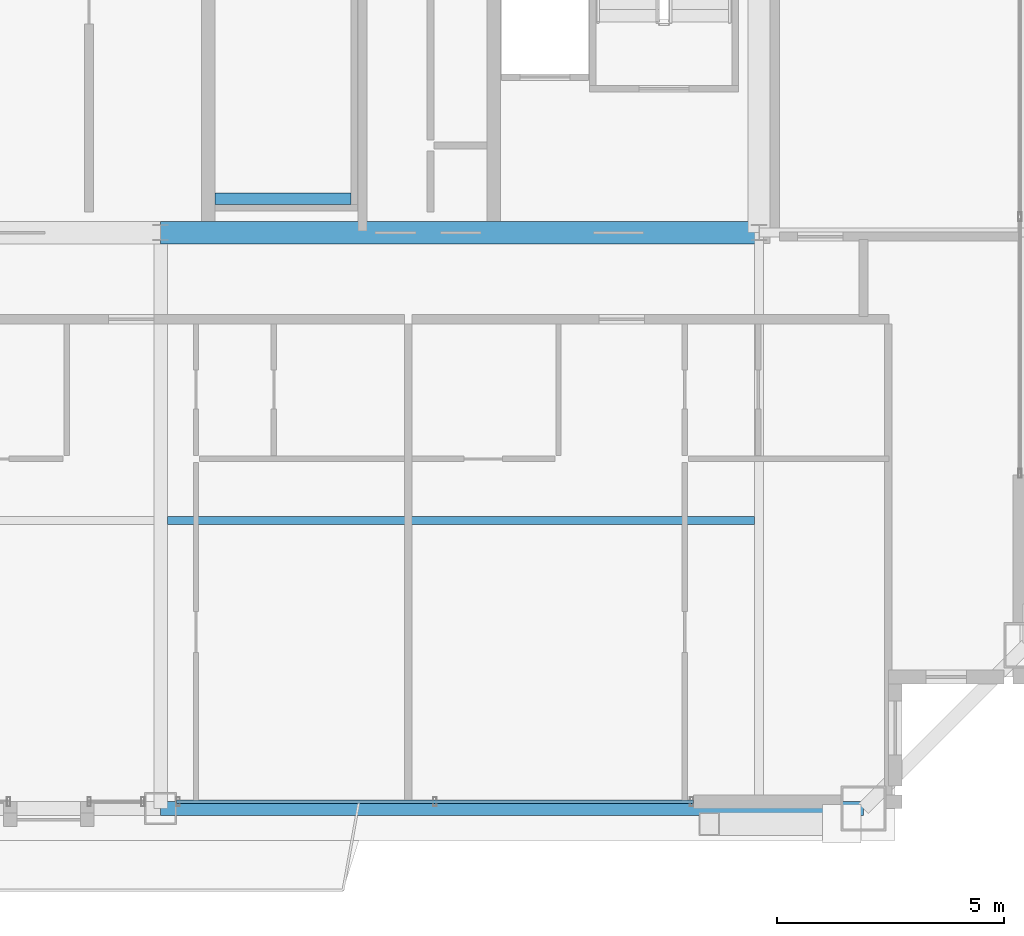
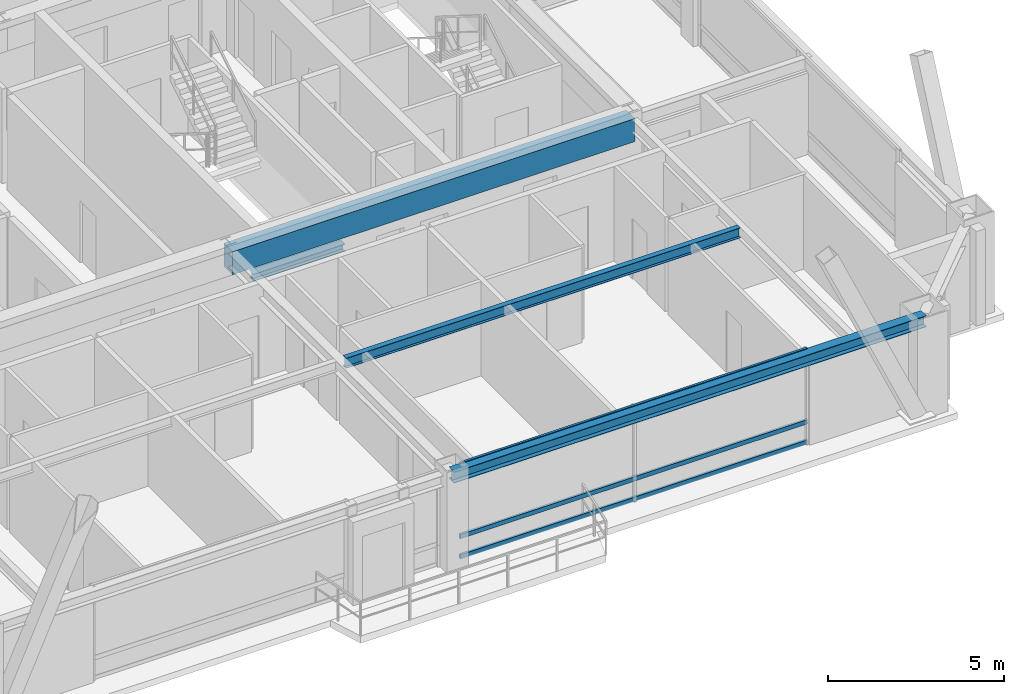
# One storey, part 8 of 33: 4 beams, 3 members, 1 element without a shape of its own.
"""IFC4 building model written with IfcOpenShell, lengths in metres."""

from ifc_helpers import new_model, si_unit, direction, frame, origin, origin_2d, place, context, subcontext, project, spatial, rectangle, hollow_rectangle, i_section, extrude, source, transform, mapped, material, layer, layer_set, material_profile, profile_set, type_object, element, aggregate, save


model = new_model("IFC4")

# Units and contexts
model_context = context("Model", 3, precision=1e-05, world=origin(), true_north=direction((0.0, 1.0)))
body_context = subcontext(model_context, "Body", "Model", "MODEL_VIEW")
ifc_project = project(units=[si_unit("LENGTHUNIT", "METRE"), si_unit("AREAUNIT", "SQUARE_METRE"), si_unit("VOLUMEUNIT", "CUBIC_METRE"), si_unit("PLANEANGLEUNIT", "RADIAN"), si_unit("MASSUNIT", "GRAM", prefix="KILO"), si_unit("THERMODYNAMICTEMPERATUREUNIT", "KELVIN"), si_unit("POWERUNIT", "WATT")], contexts=[model_context])

# Site, building, storey
site_placement = place(None, origin())
site = spatial("IfcSite", under=ifc_project, at=site_placement, CompositionType="ELEMENT")
building_placement = place(site_placement, origin())
building = spatial("IfcBuilding", under=site, at=building_placement, Name="Yuzanri Waterfront Tower", CompositionType="ELEMENT")
storey_placement = place(building_placement, frame((0.0, 0.0, 292.60009765625)))
storey = spatial("IfcBuildingStorey", under=building, at=storey_placement, Name="L78", CompositionType="ELEMENT", Elevation=292.60009765625)

# Beams
ifc_material_1 = material(Name="Concrete C50", Category="concrete")
ifc_material_profile_1 = material_profile(ifc_material_1, rectangle(XDim=0.5, YDim=0.800048828125, at=origin_2d()), Name="RC 500x800")
ifc_profile_set_1 = profile_set([ifc_material_profile_1], Name="Concrete C50")
beam_type_1 = type_object("IfcBeamType", Name="Core Coupling Lintel Concrete C50 500x800", PredefinedType="LINTEL", material=ifc_profile_set_1)
shared_shape_1 = source(origin(), body_context, "Body", "SweptSolid", [
    extrude(rectangle(XDim=0.5, YDim=0.800048828125, at=origin_2d()), origin(), (0.0, 0.0, 1.0), 13.199951171875),
])
beam_1_placement = place(storey_placement, frame((37.0, 19.39990234375, 2.8798828125), z_axis=(1.0, 0.0, 0.0), x_axis=(0.0, 1.0, 0.0)))
element("IfcBeam", 1, at=beam_1_placement, inside=storey, type_object=beam_type_1, Name="L78 Core Tie Beam CS2", PredefinedType="LINTEL", context=body_context, shape_type="MappedRepresentation", body=[
    mapped(shared_shape_1, transform((0.0, 0.0, 0.0), scale=1.0)),
])
ifc_material_2 = material(Name="Steel Q355B", Category="steel")
ifc_material_profile_2 = material_profile(ifc_material_2, i_section(OverallWidth=0.175048828125, OverallDepth=0.35009765625, WebThickness=0.007080078125, FlangeThickness=0.010986328125, at=origin_2d()), Name="HN 350x175x7x11")
ifc_profile_set_2 = profile_set([ifc_material_profile_2], Name="Steel Q355B")
beam_type_2 = type_object("IfcBeamType", Name="Floor Joist Q355B HN 350x175", PredefinedType="JOIST", material=ifc_profile_set_2)
shared_shape_2 = source(origin(), body_context, "Body", "SweptSolid", [
    extrude(i_section(OverallWidth=0.175048828125, OverallDepth=0.35009765625, WebThickness=0.007080078125, FlangeThickness=0.010986328125, at=origin_2d()), origin(), (0.0, 0.0, 1.0), 12.9501953125),
])
beam_2_placement = place(storey_placement, frame((37.14990234375, 13.050048828125, 3.10498046875), z_axis=(1.0, 0.0, 0.0), x_axis=(0.0, 1.0, 0.0)))
element("IfcBeam", 2, at=beam_2_placement, inside=storey, type_object=beam_type_2, Name="L78 South Bay Joist E", PredefinedType="JOIST", context=body_context, shape_type="MappedRepresentation", body=[
    mapped(shared_shape_2, transform((0.0, 0.0, 0.0), scale=1.0)),
])
ifc_material_3 = material(Name="Steel Q355B", Category="steel")
ifc_material_profile_3 = material_profile(ifc_material_3, i_section(OverallWidth=0.300048828125, OverallDepth=0.389892578125, WebThickness=0.010009765625, FlangeThickness=0.01611328125, at=origin_2d()), Name="HM 390x300x10x16")
ifc_profile_set_3 = profile_set([ifc_material_profile_3], Name="Steel Q355B")
beam_type_3 = type_object("IfcBeamType", Name="Perimeter Spandrel Q355B HM 390x300", PredefinedType="SPANDREL", material=ifc_profile_set_3)
shared_shape_3 = source(origin(), body_context, "Body", "SweptSolid", [
    extrude(i_section(OverallWidth=0.300048828125, OverallDepth=0.389892578125, WebThickness=0.010009765625, FlangeThickness=0.01611328125, at=origin_2d()), origin(), (0.0, 0.0, 1.0), 15.5),
])
beam_3_placement = place(storey_placement, frame((37.0, 6.699951171875, 3.0849609375), z_axis=(1.0, 0.0, 0.0), x_axis=(0.0, 1.0, 0.0)))
element("IfcBeam", 3, at=beam_3_placement, inside=storey, type_object=beam_type_3, Name="L78 Perimeter Spandrel S2-S3", PredefinedType="SPANDREL", context=body_context, shape_type="MappedRepresentation", body=[
    mapped(shared_shape_3, transform((0.0, 0.0, 0.0), scale=1.0)),
])

# Curtain wall, members
ifc_material_4 = material(Name="Anodized Architectural Bronze", Category="metal")
ifc_layer = layer(ifc_material_4, 0.159912109375)
ifc_layer_set = layer_set([ifc_layer], Name="Anodized Architectural Bronze")
curtain_wall_type = type_object("IfcCurtainWallType", Name="Anodized Bronze High-Rise Penthouse High-Wind Unitized Curtain Wall 6900", PredefinedType="NOTDEFINED", material=ifc_layer_set)
curtain_wall_placement = place(storey_placement, origin())
curtain_wall = element("IfcCurtainWall", 4, at=curtain_wall_placement, inside=storey, type_object=curtain_wall_type, Name="L78 Curtain Wall CW-L78-SR", PredefinedType="NOTDEFINED")
ifc_material_5 = material(Name="Anodized Architectural Bronze", Category="metal")
ifc_material_profile_4 = material_profile(ifc_material_5, hollow_rectangle(XDim=0.074951171875, YDim=0.14990234375, WallThickness=0.00390625, at=origin_2d()), Name="CWT 75x150")
ifc_profile_set_4 = profile_set([ifc_material_profile_4], Name="Anodized Architectural Bronze")
member_type = type_object("IfcMemberType", Name="Anodized Bronze Primary Curtain-Wall Transom 75x150", PredefinedType="USERDEFINED", material=ifc_profile_set_4)
shared_shape_4 = source(origin(), body_context, "Body", "SweptSolid", [
    extrude(hollow_rectangle(XDim=0.074951171875, YDim=0.14990234375, WallThickness=0.00390625, at=origin_2d()), origin(), (0.0, 0.0, 1.0), 11.39990234375),
])
member_1_placement = place(storey_placement, frame((37.35009765625, 6.85009765625, 0.0498046875), z_axis=(1.0, 0.0, 0.0), x_axis=(0.0, 1.0, 0.0)))
member_1 = element("IfcMember", 5, at=member_1_placement, type_object=member_type, Name="CW-L78-SR Transom 1", ObjectType="TRANSOM", PredefinedType="USERDEFINED", context=body_context, shape_type="MappedRepresentation", body=[
    mapped(shared_shape_4, transform((0.0, 0.0, 0.0), scale=1.0)),
])
member_2_placement = place(storey_placement, frame((37.35009765625, 6.85009765625, 0.75390625), z_axis=(1.0, 0.0, 0.0), x_axis=(0.0, 1.0, 0.0)))
member_2 = element("IfcMember", 6, at=member_2_placement, type_object=member_type, Name="CW-L78-SR Transom 2", ObjectType="TRANSOM", PredefinedType="USERDEFINED", context=body_context, shape_type="MappedRepresentation", body=[
    mapped(shared_shape_4, transform((0.0, 0.0, 0.0), scale=1.0)),
])
member_3_placement = place(storey_placement, frame((37.35009765625, 6.85009765625, 3.22998046875), z_axis=(1.0, 0.0, 0.0), x_axis=(0.0, 1.0, 0.0)))
member_3 = element("IfcMember", 7, at=member_3_placement, type_object=member_type, Name="CW-L78-SR Transom 3", ObjectType="TRANSOM", PredefinedType="USERDEFINED", context=body_context, shape_type="MappedRepresentation", body=[
    mapped(shared_shape_4, transform((0.0, 0.0, 0.0), scale=1.0)),
])
aggregate(curtain_wall, [member_1, member_2, member_3])

# Beam
ifc_material_6 = material(Name="Steel Q355B", Category="steel")
ifc_material_profile_5 = material_profile(ifc_material_6, i_section(OverallWidth=0.25, OverallDepth=0.25, WebThickness=0.009033203125, FlangeThickness=0.013916015625, at=origin_2d()), Name="HW 250x250x9x14")
ifc_profile_set_5 = profile_set([ifc_material_profile_5], Name="Steel Q355B")
beam_type_4 = type_object("IfcBeamType", Name="Stair Landing Support Beam Q355B HW 250x250", PredefinedType="BEAM", material=ifc_profile_set_5)
shared_shape_5 = source(origin(), body_context, "Body", "SweptSolid", [
    extrude(i_section(OverallWidth=0.25, OverallDepth=0.25, WebThickness=0.009033203125, FlangeThickness=0.013916015625, at=origin_2d()), origin(), (0.0, 0.0, 1.0), 3.0),
])
beam_4_placement = place(storey_placement, frame((38.199951171875, 20.14990234375, 1.4248046875), z_axis=(1.0, 0.0, 0.0), x_axis=(0.0, 1.0, 0.0)))
element("IfcBeam", 8, at=beam_4_placement, inside=storey, type_object=beam_type_4, Name="L78 Stair Landing Support Beam ST-03-L78-L1-1", PredefinedType="BEAM", context=body_context, shape_type="MappedRepresentation", body=[
    mapped(shared_shape_5, transform((0.0, 0.0, 0.0), scale=1.0)),
])

save(model, "model.ifc")
